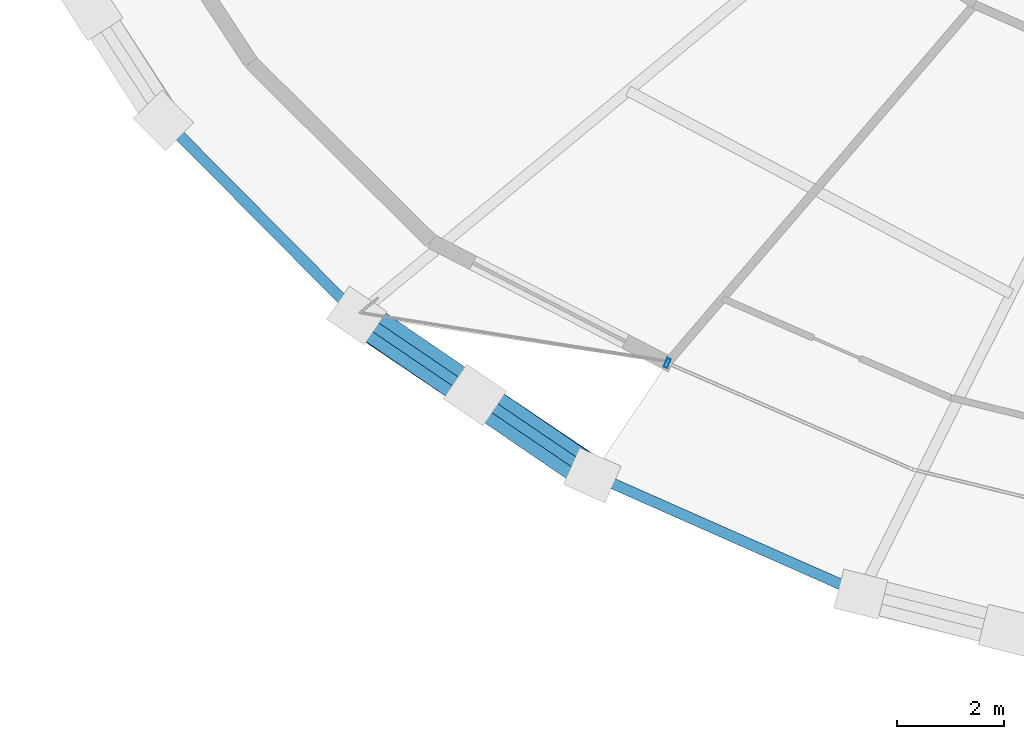
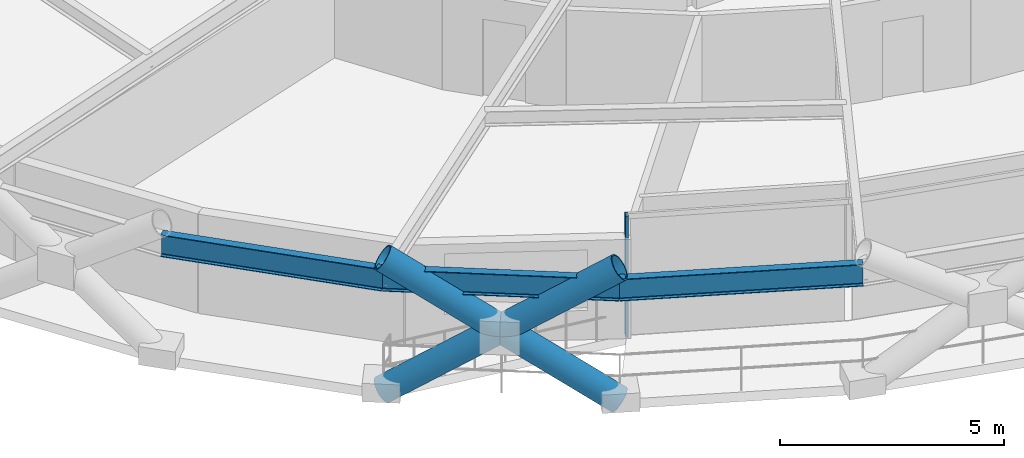
# One storey, part 1 of 22: 4 members, 3 beams, 1 element without a shape of its own.
"""IFC4 building model written with IfcOpenShell, lengths in metres."""

from ifc_helpers import new_model, si_unit, direction, frame, origin, origin_2d, place, context, subcontext, project, spatial, hollow_rectangle, hollow_circle, i_section, extrude, material, layer, layer_set, material_profile, profile_set, type_object, element, aggregate, save


model = new_model("IFC4")

# Units and contexts
model_context = context("Model", 3, precision=1e-05, world=origin(), true_north=direction((0.0, 1.0)))
body_context = subcontext(model_context, "Body", "Model", "MODEL_VIEW")
ifc_project = project(units=[si_unit("LENGTHUNIT", "METRE"), si_unit("AREAUNIT", "SQUARE_METRE"), si_unit("VOLUMEUNIT", "CUBIC_METRE"), si_unit("PLANEANGLEUNIT", "RADIAN"), si_unit("MASSUNIT", "GRAM", prefix="KILO")], contexts=[model_context])

# Site, building, storey
site_placement = place(None, origin())
site = spatial("IfcSite", under=ifc_project, at=site_placement, CompositionType="ELEMENT")
building_placement = place(site_placement, origin())
building = spatial("IfcBuilding", under=site, at=building_placement, Name="Veldorina Hangang Commons", CompositionType="ELEMENT")
storey_placement = place(building_placement, frame((0.0, 0.0, 80.800048828125)))
storey = spatial("IfcBuildingStorey", under=building, at=storey_placement, Name="L20", CompositionType="ELEMENT", Elevation=80.800048828125)

# Beams
ifc_material_1 = material(Name="Steel SM420-TMC", Category="steel")
ifc_material_profile_1 = material_profile(ifc_material_1, i_section(OverallWidth=0.199951171875, OverallDepth=0.60009765625, WebThickness=0.010986328125, FlangeThickness=0.01708984375, FilletRadius=0.01806640625, at=origin_2d()), Name="H-600x200x11x17")
ifc_profile_set_1 = profile_set([ifc_material_profile_1], Name="Steel SM420-TMC")
beam_type = type_object("IfcBeamType", Name="BM-RB600", PredefinedType="BEAM", material=ifc_profile_set_1)
beam_1_placement = place(storey_placement, frame((7.902099609375, 10.673095703125, 3.0400390625), z_axis=(0.704119769515, -0.710081227873, 0.0), x_axis=(0.710081227873, 0.704119769515, 0.0)))
element("IfcBeam", 1, at=beam_1_placement, inside=storey, type_object=beam_type, Name="L20 perimeter hoop ring beam 19", PredefinedType="BEAM", context=body_context, shape_type="SweptSolid", body=[
    extrude(i_section(OverallWidth=0.199951171875, OverallDepth=0.60009765625, WebThickness=0.010986328125, FlangeThickness=0.01708984375, FilletRadius=0.01806640625, at=origin_2d()), origin(), (0.0, 0.0, 1.0), 5.119140625),
])
beam_2_placement = place(storey_placement, frame((11.506591796875, 7.0380859375, 3.0400390625), z_axis=(0.82722233744, -0.561874723084, 0.0), x_axis=(0.561874723084, 0.82722233744, 0.0)))
element("IfcBeam", 2, at=beam_2_placement, inside=storey, type_object=beam_type, Name="L20 perimeter hoop ring beam 20", PredefinedType="BEAM", context=body_context, shape_type="SweptSolid", body=[
    extrude(i_section(OverallWidth=0.199951171875, OverallDepth=0.60009765625, WebThickness=0.010986328125, FlangeThickness=0.01708984375, FilletRadius=0.01806640625, at=origin_2d()), origin(), (0.0, 0.0, 1.0), 5.308837890625),
])
beam_3_placement = place(storey_placement, frame((15.898193359375, 4.05517578125, 3.0400390625), z_axis=(0.914501099658, -0.404583413803, 0.0), x_axis=(0.404583413803, 0.914501099658, 0.0)))
element("IfcBeam", 3, at=beam_3_placement, inside=storey, type_object=beam_type, Name="L20 perimeter hoop ring beam 21", PredefinedType="BEAM", context=body_context, shape_type="SweptSolid", body=[
    extrude(i_section(OverallWidth=0.199951171875, OverallDepth=0.60009765625, WebThickness=0.010986328125, FlangeThickness=0.01708984375, FilletRadius=0.01806640625, at=origin_2d()), origin(), (0.0, 0.0, 1.0), 5.479248046875),
])

# Curtain wall, member
ifc_material_2 = material(Name="Glass Low-E Triple IGU", Category="glass")
ifc_layer = layer(ifc_material_2, 0.179931640625)
ifc_layer_set = layer_set([ifc_layer], Name="Glass Low-E Triple IGU")
curtain_wall_type = type_object("IfcCurtainWallType", Name="CW-SYS-Z1", PredefinedType="NOTDEFINED", material=ifc_layer_set)
curtain_wall_placement = place(storey_placement, origin())
curtain_wall = element("IfcCurtainWall", 4, at=curtain_wall_placement, inside=storey, type_object=curtain_wall_type, Name="L20 unitised curtain wall CW-L20-R1", PredefinedType="NOTDEFINED")
ifc_material_3 = material(Name="Aluminium Anodized AA6063-T6", Category="aluminium")
ifc_material_profile_2 = material_profile(ifc_material_3, hollow_rectangle(XDim=0.070068359375, YDim=0.179931640625, WallThickness=0.00390625, at=origin_2d()), Name="ALU-RHS-180x70x4")
ifc_profile_set_2 = profile_set([ifc_material_profile_2], Name="Aluminium Anodized AA6063-T6")
member_type_1 = type_object("IfcMemberType", Name="CW-MUL-180", PredefinedType="MULLION", material=ifc_profile_set_2)
member_1_placement = place(storey_placement, frame((17.28857421875, 6.139892578125, 0.0), z_axis=(0.0, 0.0, 1.0), x_axis=(0.917477140523, -0.397788507398, 0.0)))
member_1 = element("IfcMember", 5, at=member_1_placement, type_object=member_type_1, Name="CW-L20-R1 vertical mullion 1", PredefinedType="MULLION", context=body_context, shape_type="SweptSolid", body=[
    extrude(hollow_rectangle(XDim=0.070068359375, YDim=0.179931640625, WallThickness=0.00390625, at=origin_2d()), origin(), (0.0, 0.0, 1.0), 3.300048828125),
])
aggregate(curtain_wall, [member_1])

# Members
ifc_material_4 = material(Name="Steel SM460-TMC", Category="steel")
ifc_material_profile_3 = material_profile(ifc_material_4, hollow_circle(Radius=0.324951171875, WallThickness=0.031982421875, at=origin_2d()), Name="CHS-650x32")
ifc_profile_set_3 = profile_set([ifc_material_profile_3], Name="Steel SM460-TMC")
member_type_2 = type_object("IfcMemberType", Name="DG-CHS650", PredefinedType="BRACE", material=ifc_profile_set_3)
member_2_placement = place(storey_placement, frame((11.493896484375, 7.029296875, 0.0), z_axis=(0.686391579322, -0.463032883325, 0.560773705513), x_axis=(0.559239319862, 0.829006262413, 0.0)))
element("IfcMember", 6, at=member_2_placement, inside=storey, type_object=member_type_2, Name="L20 continuous perimeter diagrid brace 20", PredefinedType="BRACE", context=body_context, shape_type="SweptSolid", body=[
    extrude(hollow_circle(Radius=0.324951171875, WallThickness=0.031982421875, at=origin_2d()), origin(), (0.0, 0.0, 1.0), 6.41943359375),
])
member_3_placement = place(storey_placement, frame((15.888427734375, 4.044677734375, 0.0), z_axis=(-0.683081972865, 0.467111443831, 0.561432023836), x_axis=(-0.564469535312, -0.825453901623, 0.0)))
element("IfcMember", 7, at=member_3_placement, inside=storey, type_object=member_type_2, Name="L20 split perimeter diagrid lower brace 21", PredefinedType="BRACE", context=body_context, shape_type="SweptSolid", body=[
    extrude(hollow_circle(Radius=0.324951171875, WallThickness=0.031982421875, at=origin_2d()), origin(), (0.0, 0.0, 1.0), 3.20703125),
])
member_4_placement = place(storey_placement, frame((13.69775390625, 5.542724609375, 1.800537109375), z_axis=(-0.683040836099, 0.467143253062, 0.56145560585), x_axis=(-0.56451888906, -0.82542014992, 0.0)))
element("IfcMember", 8, at=member_4_placement, inside=storey, type_object=member_type_2, Name="L20 split perimeter diagrid upper brace 21", PredefinedType="BRACE", context=body_context, shape_type="SweptSolid", body=[
    extrude(hollow_circle(Radius=0.324951171875, WallThickness=0.031982421875, at=origin_2d()), origin(), (0.0, 0.0, 1.0), 3.204833984375),
])

save(model, "model.ifc")
